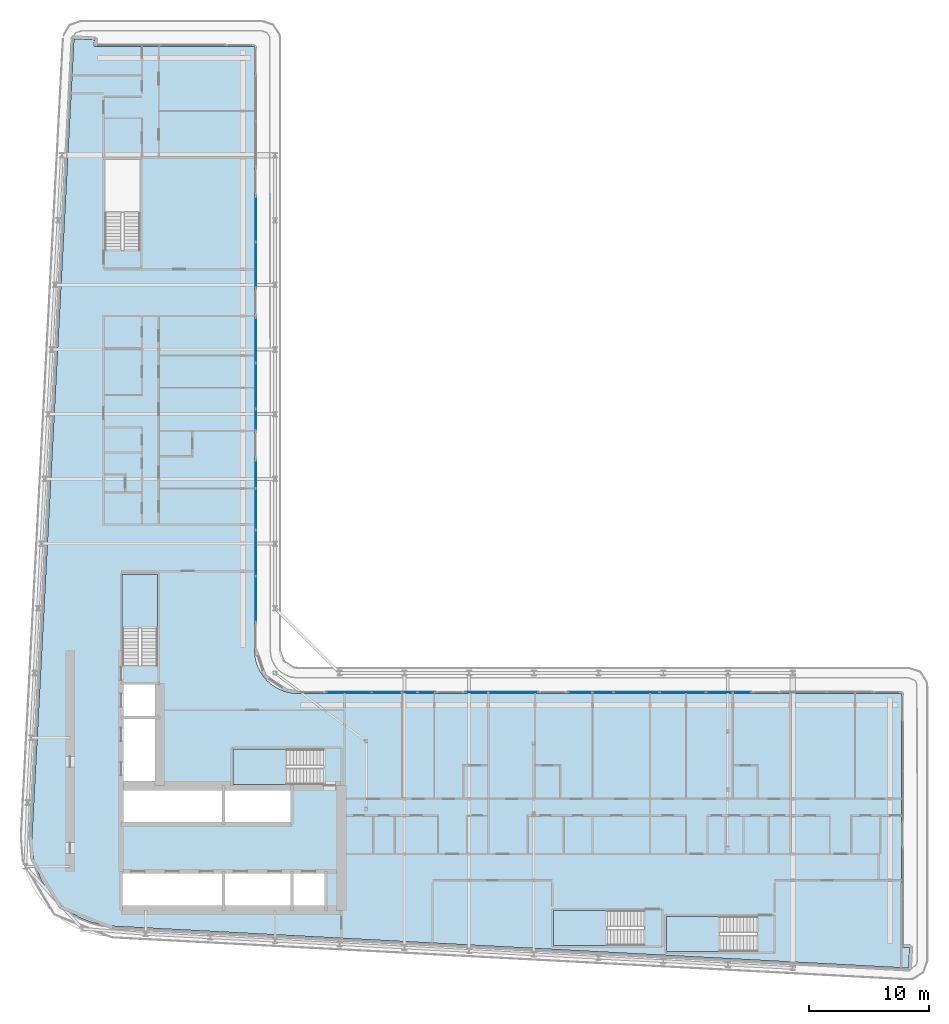
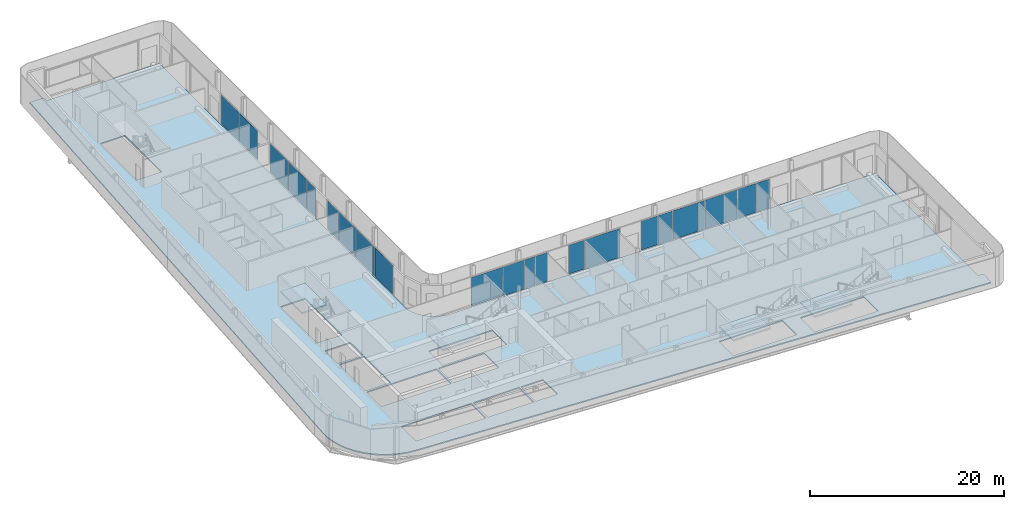
# One storey, part 12 of 28: 21 plates, 5 slabs, 14 elements without a shape of their own.
"""IFC4 building model written with IfcOpenShell, lengths in metres."""

from ifc_helpers import new_model, si_unit, direction, frame, origin, origin_2d, place, context, subcontext, project, spatial, polyline, rectangle, outline, extrude, material, layer, layer_set, type_object, element, aggregate, save


model = new_model("IFC4")

# Units and contexts
model_context = context("Model", 3, precision=1e-05, world=origin(), true_north=direction((0.0, 1.0)))
body_context = subcontext(model_context, "Body", "Model", "MODEL_VIEW")
ifc_project = project(units=[si_unit("LENGTHUNIT", "METRE"), si_unit("AREAUNIT", "SQUARE_METRE"), si_unit("VOLUMEUNIT", "CUBIC_METRE"), si_unit("PLANEANGLEUNIT", "RADIAN"), si_unit("MASSUNIT", "GRAM", prefix="KILO")], contexts=[model_context])

# Site, building, storey
site_placement = place(None, origin())
site = spatial("IfcSite", under=ifc_project, at=site_placement, CompositionType="ELEMENT")
building_placement = place(site_placement, origin())
building = spatial("IfcBuilding", under=site, at=building_placement, Name="Kheshtan School and Residences Tower", CompositionType="ELEMENT")
storey_placement = place(building_placement, frame((0.0, 0.0, 187.699951171875)))
storey = spatial("IfcBuildingStorey", under=building, at=storey_placement, Name="L44", CompositionType="ELEMENT", Elevation=187.699951171875)

# Curtain wall, plates
ifc_material_1 = material(Name="Clear low-e glass in thermally broken aluminium frame", Category="aluminium")
ifc_layer_1 = layer(ifc_material_1, 0.199951171875)
ifc_layer_set_1 = layer_set([ifc_layer_1], Name="Curtain wall CW-L")
curtain_wall_type = type_object("IfcCurtainWallType", Name="Curtain wall CW-L", PredefinedType="NOTDEFINED", material=ifc_layer_set_1)
curtain_wall_1_placement = place(storey_placement, origin())
curtain_wall_1 = element("IfcCurtainWall", 1, at=curtain_wall_1_placement, inside=storey, type_object=curtain_wall_type, Name="Curtain wall CWL8", PredefinedType="NOTDEFINED")
ifc_layer_2 = layer(ifc_material_1, 0.031982421875)
ifc_layer_set_2 = layer_set([ifc_layer_2], Name="CW-L glass panel")
plate_type = type_object("IfcPlateType", Name="CW-L glass panel", PredefinedType="CURTAIN_PANEL", material=ifc_layer_set_2)
plate_1_placement = place(storey_placement, frame((46.0, 83.467529296875, 0.0), z_axis=(0.0, 0.0, 1.0), x_axis=(0.0, -1.0, 0.0)))
plate_1 = element("IfcPlate", 2, at=plate_1_placement, type_object=plate_type, Name="CWL8 panel 1.1", PredefinedType="CURTAIN_PANEL", context=body_context, shape_type="SweptSolid", body=[
    extrude(rectangle(XDim=3.757080078125, YDim=0.031982421875, at=origin_2d()), origin(), (0.0, 0.0, 1.0), 3.6298828125),
])
plate_2_placement = place(storey_placement, frame((46.0, 79.650390625, 0.0), z_axis=(0.0, 0.0, 1.0), x_axis=(0.0, -1.0, 0.0)))
plate_2 = element("IfcPlate", 3, at=plate_2_placement, type_object=plate_type, Name="CWL8 panel 2.1", PredefinedType="CURTAIN_PANEL", context=body_context, shape_type="SweptSolid", body=[
    extrude(rectangle(XDim=3.757080078125, YDim=0.031982421875, at=origin_2d()), origin(), (0.0, 0.0, 1.0), 3.6298828125),
])
aggregate(curtain_wall_1, [plate_1, plate_2])

curtain_wall_2_placement = place(storey_placement, origin())
curtain_wall_2 = element("IfcCurtainWall", 4, at=curtain_wall_2_placement, inside=storey, type_object=curtain_wall_type, Name="Curtain wall CWL8", PredefinedType="NOTDEFINED")
plate_3_placement = place(storey_placement, frame((46.0, 73.37353515625, 0.0), z_axis=(0.0, 0.0, 1.0), x_axis=(0.0, -1.0, 0.0)))
plate_3 = element("IfcPlate", 5, at=plate_3_placement, type_object=plate_type, Name="CWL8 panel 1.1", PredefinedType="CURTAIN_PANEL", context=body_context, shape_type="SweptSolid", body=[
    extrude(rectangle(XDim=3.757080078125, YDim=0.031982421875, at=origin_2d()), origin(), (0.0, 0.0, 1.0), 3.6298828125),
])
plate_4_placement = place(storey_placement, frame((46.0, 69.556396484375, 0.0), z_axis=(0.0, 0.0, 1.0), x_axis=(0.0, -1.0, 0.0)))
plate_4 = element("IfcPlate", 6, at=plate_4_placement, type_object=plate_type, Name="CWL8 panel 2.1", PredefinedType="CURTAIN_PANEL", context=body_context, shape_type="SweptSolid", body=[
    extrude(rectangle(XDim=3.757080078125, YDim=0.031982421875, at=origin_2d()), origin(), (0.0, 0.0, 1.0), 3.6298828125),
])
aggregate(curtain_wall_2, [plate_3, plate_4])

# Curtain wall, plate
curtain_wall_3_placement = place(storey_placement, origin())
curtain_wall_3 = element("IfcCurtainWall", 7, at=curtain_wall_3_placement, inside=storey, type_object=curtain_wall_type, Name="Curtain wall CWL8e", PredefinedType="NOTDEFINED")
plate_5_placement = place(storey_placement, frame((46.0, 66.748046875, 0.0), z_axis=(0.0, 0.0, 1.0), x_axis=(0.0, -1.0, 0.0)))
plate_5 = element("IfcPlate", 8, at=plate_5_placement, type_object=plate_type, Name="CWL8e panel 1.1", PredefinedType="CURTAIN_PANEL", context=body_context, shape_type="SweptSolid", body=[
    extrude(rectangle(XDim=1.739990234375, YDim=0.031982421875, at=origin_2d()), origin(), (0.0, 0.0, 1.0), 3.6298828125),
])
aggregate(curtain_wall_3, [plate_5])

# Curtain wall, plates
curtain_wall_4_placement = place(storey_placement, origin())
curtain_wall_4 = element("IfcCurtainWall", 9, at=curtain_wall_4_placement, inside=storey, type_object=curtain_wall_type, Name="Curtain wall CWL8m", PredefinedType="NOTDEFINED")
plate_6_placement = place(storey_placement, frame((46.0, 62.194091796875, 0.0), z_axis=(0.0, 0.0, 1.0), x_axis=(0.0, -1.0, 0.0)))
plate_6 = element("IfcPlate", 10, at=plate_6_placement, type_object=plate_type, Name="CWL8m panel 1.1", PredefinedType="CURTAIN_PANEL", context=body_context, shape_type="SweptSolid", body=[
    extrude(rectangle(XDim=2.327880859375, YDim=0.031982421875, at=origin_2d()), origin(), (0.0, 0.0, 1.0), 3.6298828125),
])
plate_7_placement = place(storey_placement, frame((46.0, 59.277099609375, 0.0), z_axis=(0.0, 0.0, 1.0), x_axis=(0.0, -1.0, 0.0)))
plate_7 = element("IfcPlate", 11, at=plate_7_placement, type_object=plate_type, Name="CWL8m panel 2.1", PredefinedType="CURTAIN_PANEL", context=body_context, shape_type="SweptSolid", body=[
    extrude(rectangle(XDim=3.385986328125, YDim=0.031982421875, at=origin_2d()), origin(), (0.0, 0.0, 1.0), 3.6298828125),
])
aggregate(curtain_wall_4, [plate_6, plate_7])

curtain_wall_5_placement = place(storey_placement, origin())
curtain_wall_5 = element("IfcCurtainWall", 12, at=curtain_wall_5_placement, inside=storey, type_object=curtain_wall_type, Name="Curtain wall CWL8", PredefinedType="NOTDEFINED")
plate_8_placement = place(storey_placement, frame((46.0, 55.615478515625, 0.0), z_axis=(0.0, 0.0, 1.0), x_axis=(0.0, -1.0, 0.0)))
plate_8 = element("IfcPlate", 13, at=plate_8_placement, type_object=plate_type, Name="CWL8 panel 1.1", PredefinedType="CURTAIN_PANEL", context=body_context, shape_type="SweptSolid", body=[
    extrude(rectangle(XDim=3.81689453125, YDim=0.031982421875, at=origin_2d()), origin(), (0.0, 0.0, 1.0), 3.6298828125),
])
plate_9_placement = place(storey_placement, frame((46.0, 51.7685546875, 0.0), z_axis=(0.0, 0.0, 1.0), x_axis=(0.0, -1.0, 0.0)))
plate_9 = element("IfcPlate", 14, at=plate_9_placement, type_object=plate_type, Name="CWL8 panel 2.1", PredefinedType="CURTAIN_PANEL", context=body_context, shape_type="SweptSolid", body=[
    extrude(rectangle(XDim=3.757080078125, YDim=0.031982421875, at=origin_2d()), origin(), (0.0, 0.0, 1.0), 3.6298828125),
])
aggregate(curtain_wall_5, [plate_8, plate_9])

curtain_wall_6_placement = place(storey_placement, origin())
curtain_wall_6 = element("IfcCurtainWall", 15, at=curtain_wall_6_placement, inside=storey, type_object=curtain_wall_type, Name="Curtain wall CWL12k", PredefinedType="NOTDEFINED")
plate_10_placement = place(storey_placement, frame((53.7685546875, 44.0, 0.0), z_axis=(0.0, 0.0, 1.0), x_axis=(1.0, 0.0, 0.0)))
plate_10 = element("IfcPlate", 16, at=plate_10_placement, type_object=plate_type, Name="CWL12k panel 1.1", PredefinedType="CURTAIN_PANEL", context=body_context, shape_type="SweptSolid", body=[
    extrude(rectangle(XDim=3.757080078125, YDim=0.031982421875, at=origin_2d()), origin(), (0.0, 0.0, 1.0), 3.6298828125),
])
plate_11_placement = place(storey_placement, frame((56.9384765625, 44.0, 0.0), z_axis=(0.0, 0.0, 1.0), x_axis=(1.0, 0.0, 0.0)))
plate_11 = element("IfcPlate", 17, at=plate_11_placement, type_object=plate_type, Name="CWL12k panel 2.1", PredefinedType="CURTAIN_PANEL", context=body_context, shape_type="SweptSolid", body=[
    extrude(rectangle(XDim=2.462890625, YDim=0.031982421875, at=origin_2d()), origin(), (0.0, 0.0, 1.0), 3.6298828125),
])
plate_12_placement = place(storey_placement, frame((58.846923828125, 44.0, 0.0), z_axis=(0.0, 0.0, 1.0), x_axis=(1.0, 0.0, 0.0)))
plate_12 = element("IfcPlate", 18, at=plate_12_placement, type_object=plate_type, Name="CWL12k panel 3.1", PredefinedType="CURTAIN_PANEL", context=body_context, shape_type="SweptSolid", body=[
    extrude(rectangle(XDim=1.23388671875, YDim=0.031982421875, at=origin_2d()), origin(), (0.0, 0.0, 1.0), 3.6298828125),
])
aggregate(curtain_wall_6, [plate_10, plate_11, plate_12])

# Curtain wall, plate
curtain_wall_7_placement = place(storey_placement, origin())
curtain_wall_7 = element("IfcCurtainWall", 19, at=curtain_wall_7_placement, inside=storey, type_object=curtain_wall_type, Name="Curtain wall CWL12w", PredefinedType="NOTDEFINED")
plate_13_placement = place(storey_placement, frame((60.243896484375, 44.0, 0.0), z_axis=(0.0, 0.0, 1.0), x_axis=(1.0, 0.0, 0.0)))
plate_13 = element("IfcPlate", 20, at=plate_13_placement, type_object=plate_type, Name="CWL12w panel 1.1", PredefinedType="CURTAIN_PANEL", context=body_context, shape_type="SweptSolid", body=[
    extrude(rectangle(XDim=1.43994140625, YDim=0.031982421875, at=origin_2d()), origin(), (0.0, 0.0, 1.0), 3.6298828125),
])
aggregate(curtain_wall_7, [plate_13])

# Curtain wall, plates
curtain_wall_8_placement = place(storey_placement, origin())
curtain_wall_8 = element("IfcCurtainWall", 21, at=curtain_wall_8_placement, inside=storey, type_object=curtain_wall_type, Name="Curtain wall CWL1227", PredefinedType="NOTDEFINED")
plate_14_placement = place(storey_placement, frame((64.427001953125, 44.0, 0.0), z_axis=(0.0, 0.0, 1.0), x_axis=(1.0, 0.0, 0.0)))
plate_14 = element("IfcPlate", 22, at=plate_14_placement, type_object=plate_type, Name="CWL1227 panel 1.1", PredefinedType="CURTAIN_PANEL", context=body_context, shape_type="SweptSolid", body=[
    extrude(rectangle(XDim=1.885986328125, YDim=0.031982421875, at=origin_2d()), origin(), (0.0, 0.0, 1.0), 3.6298828125),
])
plate_15_placement = place(storey_placement, frame((67.493896484375, 44.0, 0.0), z_axis=(0.0, 0.0, 1.0), x_axis=(1.0, 0.0, 0.0)))
plate_15 = element("IfcPlate", 23, at=plate_15_placement, type_object=plate_type, Name="CWL1227 panel 2.1", PredefinedType="CURTAIN_PANEL", context=body_context, shape_type="SweptSolid", body=[
    extrude(rectangle(XDim=4.1279296875, YDim=0.031982421875, at=origin_2d()), origin(), (0.0, 0.0, 1.0), 3.6298828125),
])
aggregate(curtain_wall_8, [plate_14, plate_15])

curtain_wall_9_placement = place(storey_placement, origin())
curtain_wall_9 = element("IfcCurtainWall", 24, at=curtain_wall_9_placement, inside=storey, type_object=curtain_wall_type, Name="Curtain wall CWL12k", PredefinedType="NOTDEFINED")
plate_16_placement = place(storey_placement, frame((73.073974609375, 44.0, 0.0), z_axis=(0.0, 0.0, 1.0), x_axis=(1.0, 0.0, 0.0)))
plate_16 = element("IfcPlate", 25, at=plate_16_placement, type_object=plate_type, Name="CWL12k panel 1.1", PredefinedType="CURTAIN_PANEL", context=body_context, shape_type="SweptSolid", body=[
    extrude(rectangle(XDim=1.991943359375, YDim=0.031982421875, at=origin_2d()), origin(), (0.0, 0.0, 1.0), 3.6298828125),
])
plate_17_placement = place(storey_placement, frame((74.982421875, 44.0, 0.0), z_axis=(0.0, 0.0, 1.0), x_axis=(1.0, 0.0, 0.0)))
plate_17 = element("IfcPlate", 26, at=plate_17_placement, type_object=plate_type, Name="CWL12k panel 2.1", PredefinedType="CURTAIN_PANEL", context=body_context, shape_type="SweptSolid", body=[
    extrude(rectangle(XDim=1.705078125, YDim=0.031982421875, at=origin_2d()), origin(), (0.0, 0.0, 1.0), 3.6298828125),
])
plate_18_placement = place(storey_placement, frame((77.7734375, 44.0, 0.0), z_axis=(0.0, 0.0, 1.0), x_axis=(1.0, 0.0, 0.0)))
plate_18 = element("IfcPlate", 27, at=plate_18_placement, type_object=plate_type, Name="CWL12k panel 3.1", PredefinedType="CURTAIN_PANEL", context=body_context, shape_type="SweptSolid", body=[
    extrude(rectangle(XDim=3.757080078125, YDim=0.031982421875, at=origin_2d()), origin(), (0.0, 0.0, 1.0), 3.6298828125),
])
aggregate(curtain_wall_9, [plate_16, plate_17, plate_18])

curtain_wall_10_placement = place(storey_placement, origin())
curtain_wall_10 = element("IfcCurtainWall", 28, at=curtain_wall_10_placement, inside=storey, type_object=curtain_wall_type, Name="Curtain wall CWL12k", PredefinedType="NOTDEFINED")
plate_19_placement = place(storey_placement, frame((81.62060546875, 44.0, 0.0), z_axis=(0.0, 0.0, 1.0), x_axis=(1.0, 0.0, 0.0)))
plate_19 = element("IfcPlate", 29, at=plate_19_placement, type_object=plate_type, Name="CWL12k panel 1.1", PredefinedType="CURTAIN_PANEL", context=body_context, shape_type="SweptSolid", body=[
    extrude(rectangle(XDim=3.81689453125, YDim=0.031982421875, at=origin_2d()), origin(), (0.0, 0.0, 1.0), 3.6298828125),
])
plate_20_placement = place(storey_placement, frame((84.679443359375, 44.0, 0.0), z_axis=(0.0, 0.0, 1.0), x_axis=(1.0, 0.0, 0.0)))
plate_20 = element("IfcPlate", 30, at=plate_20_placement, type_object=plate_type, Name="CWL12k panel 2.1", PredefinedType="CURTAIN_PANEL", context=body_context, shape_type="SweptSolid", body=[
    extrude(rectangle(XDim=2.180908203125, YDim=0.031982421875, at=origin_2d()), origin(), (0.0, 0.0, 1.0), 3.6298828125),
])
plate_21_placement = place(storey_placement, frame((86.587890625, 44.0, 0.0), z_axis=(0.0, 0.0, 1.0), x_axis=(1.0, 0.0, 0.0)))
plate_21 = element("IfcPlate", 31, at=plate_21_placement, type_object=plate_type, Name="CWL12k panel 3.1", PredefinedType="CURTAIN_PANEL", context=body_context, shape_type="SweptSolid", body=[
    extrude(rectangle(XDim=1.51611328125, YDim=0.031982421875, at=origin_2d()), origin(), (0.0, 0.0, 1.0), 3.6298828125),
])
aggregate(curtain_wall_10, [plate_19, plate_20, plate_21])

# Slab
ifc_material_2 = material(Name="Concrete C40/50", Category="concrete")
ifc_layer_3 = layer(ifc_material_2, 0.14990234375)
ifc_layer_set_3 = layer_set([ifc_layer_3], Name="Floor slab 150 Concrete C40/50")
slab_type_1 = type_object("IfcSlabType", Name="Floor slab 150 Concrete C40/50", PredefinedType="FLOOR", material=ifc_layer_set_3)
slab_1_placement = place(storey_placement, frame((0.0, 0.0, -0.14990234375)))
element("IfcSlab", 32, at=slab_1_placement, inside=storey, type_object=slab_type_1, Name="Floor slab L44", PredefinedType="FLOOR", context=body_context, shape_type="SweptSolid", body=[
    extrude(outline(polyline([(27.718017578125, 29.200927734375), (27.466064453125, 30.093017578125), (27.466064453125, 30.093994140625), (27.3330078125, 31.013916015625), (27.320068359375, 31.965087890625), (27.320068359375, 31.970947265625), (30.822021484375, 98.5009765625), (30.822998046875, 98.508056640625), (30.825927734375, 98.531005859375), (30.825927734375, 98.531982421875), (30.826904296875, 98.531982421875), (31.422119140625, 98.5), (31.423095703125, 98.5), (31.423095703125, 98.4990234375), (31.423095703125, 98.4951171875), (31.423095703125, 98.493896484375), (31.424072265625, 98.493896484375), (31.424072265625, 98.492919921875), (31.425048828125, 98.492919921875), (31.426025390625, 98.492919921875), (31.426025390625, 98.493896484375), (31.427978515625, 98.49609375), (31.428955078125, 98.4970703125), (31.429931640625, 98.498046875), (31.430908203125, 98.498046875), (31.430908203125, 98.4990234375), (31.431884765625, 98.4990234375), (31.431884765625, 98.5), (31.43505859375, 98.5009765625), (31.43603515625, 98.501953125), (31.43896484375, 98.501953125), (31.43994140625, 98.501953125), (31.43994140625, 98.5029296875), (31.44091796875, 98.5029296875), (31.446044921875, 98.5029296875), (32.5009765625, 98.447021484375), (32.50390625, 98.447021484375), (32.5048828125, 98.447021484375), (32.5048828125, 98.446044921875), (32.506103515625, 98.446044921875), (32.510009765625, 98.446044921875), (32.510009765625, 98.445068359375), (32.510986328125, 98.445068359375), (32.510986328125, 98.444091796875), (32.511962890625, 98.444091796875), (32.511962890625, 98.443115234375), (32.512939453125, 98.443115234375), (32.513916015625, 98.443115234375), (32.513916015625, 98.44189453125), (32.514892578125, 98.44189453125), (32.51611328125, 98.44189453125), (32.51904296875, 98.43896484375), (32.51904296875, 98.43798828125), (32.51904296875, 98.43701171875), (32.52001953125, 98.43701171875), (32.52001953125, 98.43603515625), (32.52099609375, 98.43603515625), (32.52099609375, 98.43408203125), (32.52099609375, 98.43310546875), (32.52197265625, 98.43310546875), (32.52197265625, 98.431884765625), (32.52294921875, 98.431884765625), (32.52294921875, 98.430908203125), (32.52294921875, 98.428955078125), (32.52294921875, 98.427978515625), (32.52392578125, 98.427978515625), (32.52392578125, 98.427001953125), (32.52392578125, 98.422119140625), (32.4970703125, 97.9208984375), (32.4970703125, 97.91796875), (32.4970703125, 97.9169921875), (32.49609375, 97.9169921875), (32.49609375, 97.916015625), (32.49609375, 97.912109375), (32.4951171875, 97.910888671875), (32.4951171875, 97.909912109375), (32.493896484375, 97.909912109375), (32.493896484375, 97.908935546875), (32.492919921875, 97.908935546875), (32.492919921875, 97.907958984375), (32.489013671875, 97.904052734375), (32.488037109375, 97.904052734375), (32.488037109375, 97.903076171875), (32.488037109375, 97.902099609375), (32.488037109375, 97.90087890625), (32.489013671875, 97.90087890625), (32.489013671875, 97.89990234375), (32.489990234375, 97.89990234375), (45.85498046875, 97.89990234375), (45.864990234375, 97.89794921875), (45.865966796875, 97.89794921875), (45.868896484375, 97.89599609375), (45.8740234375, 97.89404296875), (45.8779296875, 97.89208984375), (45.881103515625, 97.889892578125), (45.881103515625, 97.888916015625), (45.882080078125, 97.888916015625), (45.882080078125, 97.887939453125), (45.883056640625, 97.887939453125), (45.884033203125, 97.885009765625), (45.885009765625, 97.885009765625), (45.885009765625, 97.884033203125), (45.887939453125, 97.883056640625), (45.887939453125, 97.882080078125), (45.888916015625, 97.882080078125), (45.888916015625, 97.881103515625), (45.889892578125, 97.881103515625), (45.89208984375, 97.8779296875), (45.89404296875, 97.8740234375), (45.89599609375, 97.868896484375), (45.89794921875, 97.865966796875), (45.89794921875, 97.864990234375), (45.89990234375, 97.85498046875), (45.89990234375, 47.429931640625), (45.927001953125, 47.030029296875), (46.01806640625, 46.570068359375), (46.01806640625, 46.569091796875), (46.169921875, 46.1201171875), (46.37890625, 45.697021484375), (46.638916015625, 45.30810546875), (46.949951171875, 44.950927734375), (46.950927734375, 44.949951171875), (47.30810546875, 44.638916015625), (47.697021484375, 44.37890625), (48.1201171875, 44.169921875), (48.569091796875, 44.01806640625), (48.570068359375, 44.01806640625), (49.030029296875, 43.927001953125), (49.429931640625, 43.89990234375), (99.85498046875, 43.89990234375), (99.864990234375, 43.89794921875), (99.865966796875, 43.89794921875), (99.868896484375, 43.89599609375), (99.8740234375, 43.89404296875), (99.8779296875, 43.89208984375), (99.881103515625, 43.889892578125), (99.881103515625, 43.888916015625), (99.882080078125, 43.888916015625), (99.882080078125, 43.887939453125), (99.883056640625, 43.887939453125), (99.884033203125, 43.885009765625), (99.885009765625, 43.885009765625), (99.885009765625, 43.884033203125), (99.887939453125, 43.883056640625), (99.887939453125, 43.882080078125), (99.888916015625, 43.882080078125), (99.888916015625, 43.881103515625), (99.889892578125, 43.881103515625), (99.89208984375, 43.8779296875), (99.89404296875, 43.8740234375), (99.89599609375, 43.868896484375), (99.89794921875, 43.865966796875), (99.89794921875, 43.864990234375), (99.89990234375, 43.85498046875), (99.89990234375, 22.708984375), (99.89990234375, 22.7080078125), (99.90087890625, 22.7080078125), (99.90087890625, 22.70703125), (99.902099609375, 22.70703125), (99.903076171875, 22.70703125), (99.903076171875, 22.7080078125), (99.905029296875, 22.7099609375), (99.906982421875, 22.7119140625), (99.907958984375, 22.7119140625), (99.907958984375, 22.712890625), (99.908935546875, 22.712890625), (99.908935546875, 22.714111328125), (99.909912109375, 22.714111328125), (99.912109375, 22.715087890625), (99.9130859375, 22.716064453125), (99.916015625, 22.716064453125), (99.9169921875, 22.716064453125), (99.9169921875, 22.717041015625), (99.91796875, 22.717041015625), (99.923095703125, 22.717041015625), (100.5380859375, 22.68408203125), (100.541015625, 22.68408203125), (100.5419921875, 22.68408203125), (100.5419921875, 22.68310546875), (100.54296875, 22.68310546875), (100.547119140625, 22.68310546875), (100.547119140625, 22.681884765625), (100.548095703125, 22.681884765625), (100.548095703125, 22.680908203125), (100.549072265625, 22.680908203125), (100.549072265625, 22.679931640625), (100.550048828125, 22.679931640625), (100.551025390625, 22.679931640625), (100.551025390625, 22.678955078125), (100.552001953125, 22.678955078125), (100.552978515625, 22.678955078125), (100.552978515625, 22.677978515625), (100.554931640625, 22.676025390625), (100.555908203125, 22.676025390625), (100.555908203125, 22.675048828125), (100.555908203125, 22.674072265625), (100.556884765625, 22.674072265625), (100.556884765625, 22.673095703125), (100.55810546875, 22.673095703125), (100.55810546875, 22.6708984375), (100.55810546875, 22.669921875), (100.55908203125, 22.669921875), (100.55908203125, 22.6689453125), (100.56005859375, 22.6689453125), (100.56005859375, 22.66796875), (100.56005859375, 22.666015625), (100.56005859375, 22.6650390625), (100.56103515625, 22.6650390625), (100.56103515625, 22.6640625), (100.56103515625, 22.658935546875), (100.5048828125, 21.60205078125), (100.5048828125, 21.59912109375), (100.5048828125, 21.597900390625), (100.50390625, 21.597900390625), (100.50390625, 21.596923828125), (100.50390625, 21.593017578125), (100.5029296875, 21.592041015625), (100.5029296875, 21.591064453125), (100.501953125, 21.591064453125), (100.501953125, 21.590087890625), (100.5009765625, 21.590087890625), (100.5009765625, 21.589111328125), (100.5, 21.587890625), (100.498046875, 21.5859375), (100.4970703125, 21.5849609375), (100.49609375, 21.5849609375), (100.49609375, 21.583984375), (100.49609375, 21.5830078125), (100.49609375, 21.58203125), (100.4970703125, 21.58203125), (100.4970703125, 21.5810546875), (100.498046875, 21.5810546875), (100.4990234375, 21.5810546875), (100.5, 21.5810546875), (100.5, 21.580078125), (100.468017578125, 20.985107421875), (100.468017578125, 20.98388671875), (100.467041015625, 20.98388671875), (100.443115234375, 20.98291015625), (100.43798828125, 20.98291015625), (34.056884765625, 24.47802734375), (33.114990234375, 24.590087890625), (32.215087890625, 24.819091796875), (32.214111328125, 24.819091796875), (31.35205078125, 25.1630859375), (30.541015625, 25.616943359375), (29.799072265625, 26.1708984375), (29.799072265625, 26.172119140625), (29.798095703125, 26.172119140625), (29.134033203125, 26.820068359375), (29.134033203125, 26.821044921875), (29.133056640625, 26.821044921875), (28.55908203125, 27.550048828125), (28.0849609375, 28.345947265625), (27.718017578125, 29.200927734375)]), holes=[polyline([(99.89990234375, 21.5869140625), (99.89990234375, 21.5830078125), (99.89990234375, 21.58203125), (99.90087890625, 21.58203125), (99.90087890625, 21.5810546875), (99.902099609375, 21.5810546875), (99.906005859375, 21.5810546875), (99.906982421875, 21.5810546875), (99.906982421875, 21.58203125), (99.907958984375, 21.58203125), (99.907958984375, 21.5830078125), (99.907958984375, 21.583984375), (99.906982421875, 21.583984375), (99.905029296875, 21.5859375), (99.904052734375, 21.5869140625), (99.903076171875, 21.587890625), (99.903076171875, 21.589111328125), (99.902099609375, 21.589111328125), (99.90087890625, 21.589111328125), (99.90087890625, 21.587890625), (99.89990234375, 21.587890625), (99.89990234375, 21.5869140625)]), polyline([(31.423095703125, 97.906005859375), (31.423095703125, 97.902099609375), (31.423095703125, 97.90087890625), (31.424072265625, 97.90087890625), (31.424072265625, 97.89990234375), (31.425048828125, 97.89990234375), (31.428955078125, 97.89990234375), (31.429931640625, 97.89990234375), (31.429931640625, 97.90087890625), (31.430908203125, 97.90087890625), (31.430908203125, 97.902099609375), (31.430908203125, 97.903076171875), (31.429931640625, 97.903076171875), (31.428955078125, 97.904052734375), (31.427978515625, 97.905029296875), (31.427001953125, 97.906005859375), (31.426025390625, 97.906982421875), (31.426025390625, 97.907958984375), (31.425048828125, 97.907958984375), (31.424072265625, 97.907958984375), (31.424072265625, 97.906982421875), (31.423095703125, 97.906982421875), (31.423095703125, 97.906005859375)]), polyline([(34.875, 28.925048828125), (34.875, 25.925048828125), (43.175048828125, 25.925048828125), (43.175048828125, 28.925048828125), (34.875, 28.925048828125)]), polyline([(43.175048828125, 36.074951171875), (34.875, 36.074951171875), (34.875, 33.074951171875), (43.175048828125, 33.074951171875), (43.175048828125, 36.074951171875)]), polyline([(34.875, 41.77490234375), (34.875, 36.324951171875), (37.875, 36.324951171875), (37.875, 41.77490234375), (34.875, 41.77490234375)]), polyline([(34.875, 42.02490234375), (37.875, 42.02490234375), (37.875, 44.625), (34.875, 44.625), (34.875, 42.02490234375)]), polyline([(37.800048828125, 46.25), (37.800048828125, 53.81005859375), (34.85009765625, 53.81005859375), (34.85009765625, 46.260009765625), (36.25, 46.260009765625), (36.25, 46.25), (37.800048828125, 46.25)]), polyline([(33.39990234375, 88.4599609375), (33.39990234375, 80.909912109375), (34.800048828125, 80.909912109375), (34.800048828125, 80.89990234375), (36.35009765625, 80.89990234375), (36.35009765625, 88.4599609375), (33.39990234375, 88.4599609375)]), polyline([(87.81005859375, 22.35009765625), (87.81005859375, 23.75), (87.820068359375, 23.75), (87.820068359375, 25.300048828125), (80.260009765625, 25.300048828125), (80.260009765625, 22.35009765625), (87.81005859375, 22.35009765625)]), polyline([(70.85009765625, 22.85009765625), (78.39990234375, 22.85009765625), (78.39990234375, 24.25), (78.409912109375, 24.25), (78.409912109375, 25.800048828125), (70.85009765625, 25.800048828125), (70.85009765625, 22.85009765625)]), polyline([(43.425048828125, 25.925048828125), (48.875, 25.925048828125), (48.875, 28.925048828125), (43.425048828125, 28.925048828125), (43.425048828125, 25.925048828125)]), polyline([(49.125, 25.925048828125), (51.72509765625, 25.925048828125), (51.72509765625, 28.925048828125), (49.125, 28.925048828125), (49.125, 25.925048828125)]), polyline([(43.425048828125, 33.074951171875), (48.875, 33.074951171875), (48.875, 36.074951171875), (43.425048828125, 36.074951171875), (43.425048828125, 33.074951171875)]), polyline([(51.64990234375, 39.25), (44.090087890625, 39.25), (44.090087890625, 36.300048828125), (51.639892578125, 36.300048828125), (51.639892578125, 37.699951171875), (51.64990234375, 37.699951171875), (51.64990234375, 39.25)])]), origin(), (0.0, 0.0, 1.0), 0.14990234375),
])

# Stair, slab
stair_type = type_object("IfcStairType", Name="Exit stair, half-turn", PredefinedType="HALF_TURN_STAIR", material=ifc_material_2)
stair_1_placement = place(storey_placement, origin())
stair_1 = element("IfcStair", 33, at=stair_1_placement, inside=storey, type_object=stair_type, Name="L44 Protected Exit Stair ST1", PredefinedType="HALF_TURN_STAIR")
ifc_layer_4 = layer(ifc_material_2, 0.199951171875)
ifc_layer_set_4 = layer_set([ifc_layer_4], Name="Stair landing 200 Concrete C40/50")
slab_type_2 = type_object("IfcSlabType", Name="Stair landing 200 Concrete C40/50", PredefinedType="LANDING", material=ifc_layer_set_4)
slab_2_placement = place(storey_placement, frame((0.0, 0.0, 1.75)))
slab_2 = element("IfcSlab", 34, at=slab_2_placement, type_object=slab_type_2, Name="ST1 landing 1", PredefinedType="LANDING", context=body_context, shape_type="SweptSolid", body=[
    extrude(outline(polyline([(48.570068359375, 39.25), (44.090087890625, 39.25), (44.090087890625, 36.300048828125), (48.570068359375, 36.300048828125), (48.570068359375, 39.25)])), origin(), (0.0, 0.0, 1.0), 0.199951171875),
])
aggregate(stair_1, [slab_2])

stair_2_placement = place(storey_placement, origin())
stair_2 = element("IfcStair", 35, at=stair_2_placement, inside=storey, type_object=stair_type, Name="L44 Protected Exit Stair ST2", PredefinedType="HALF_TURN_STAIR")
slab_3_placement = place(storey_placement, frame((0.0, 0.0, 1.75)))
slab_3 = element("IfcSlab", 36, at=slab_3_placement, type_object=slab_type_2, Name="ST2 landing 1", PredefinedType="LANDING", context=body_context, shape_type="SweptSolid", body=[
    extrude(outline(polyline([(37.800048828125, 49.330078125), (37.800048828125, 53.81005859375), (34.85009765625, 53.81005859375), (34.85009765625, 49.330078125), (37.800048828125, 49.330078125)])), origin(), (0.0, 0.0, 1.0), 0.199951171875),
])
aggregate(stair_2, [slab_3])

stair_3_placement = place(storey_placement, origin())
stair_3 = element("IfcStair", 37, at=stair_3_placement, inside=storey, type_object=stair_type, Name="L44 Protected Exit Stair ST4", PredefinedType="HALF_TURN_STAIR")
slab_4_placement = place(storey_placement, frame((0.0, 0.0, 1.75)))
slab_4 = element("IfcSlab", 38, at=slab_4_placement, type_object=slab_type_2, Name="ST4 landing 1", PredefinedType="LANDING", context=body_context, shape_type="SweptSolid", body=[
    extrude(outline(polyline([(84.739990234375, 25.300048828125), (80.260009765625, 25.300048828125), (80.260009765625, 22.35009765625), (84.739990234375, 22.35009765625), (84.739990234375, 25.300048828125)])), origin(), (0.0, 0.0, 1.0), 0.199951171875),
])
aggregate(stair_3, [slab_4])

stair_4_placement = place(storey_placement, origin())
stair_4 = element("IfcStair", 39, at=stair_4_placement, inside=storey, type_object=stair_type, Name="L44 Protected Exit Stair ST5", PredefinedType="HALF_TURN_STAIR")
slab_5_placement = place(storey_placement, frame((0.0, 0.0, 1.75)))
slab_5 = element("IfcSlab", 40, at=slab_5_placement, type_object=slab_type_2, Name="ST5 landing 1", PredefinedType="LANDING", context=body_context, shape_type="SweptSolid", body=[
    extrude(outline(polyline([(75.330078125, 25.800048828125), (70.85009765625, 25.800048828125), (70.85009765625, 22.85009765625), (75.330078125, 22.85009765625), (75.330078125, 25.800048828125)])), origin(), (0.0, 0.0, 1.0), 0.199951171875),
])
aggregate(stair_4, [slab_5])

save(model, "model.ifc")
